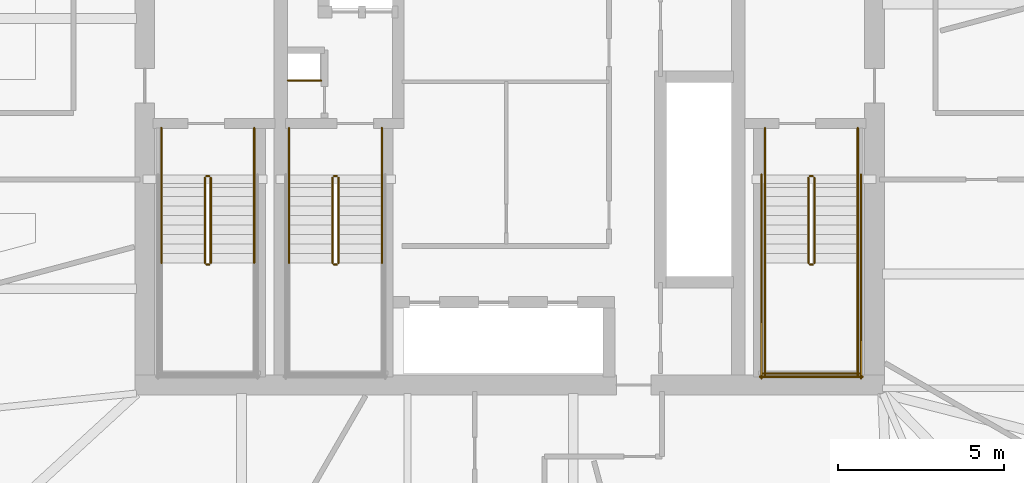
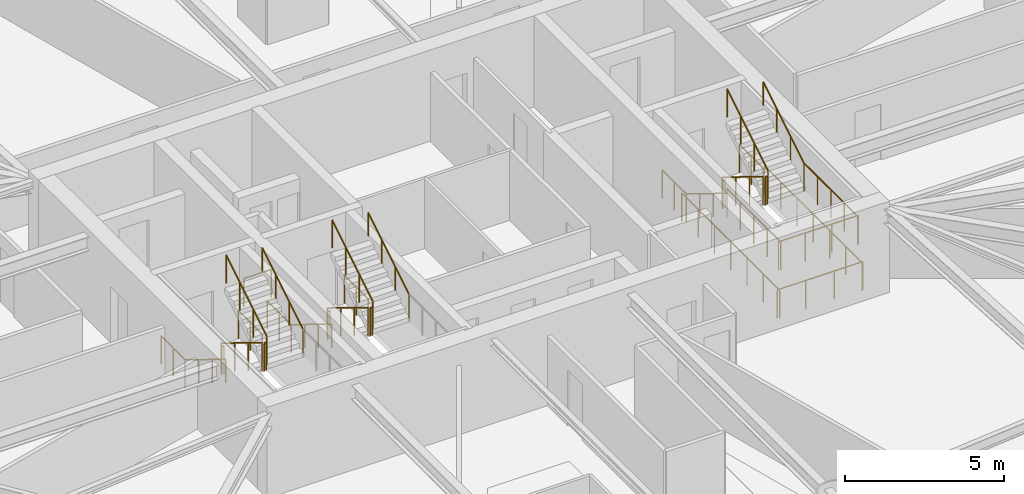
# One storey, part 21 of 22: 31 railings.
"""IFC4 building model written with IfcOpenShell, lengths in metres."""

from ifc_helpers import new_model, si_unit, direction, frame, origin, origin_2d, place, context, subcontext, project, spatial, circle, extrude, material, type_object, element, save


model = new_model("IFC4")

# Units and contexts
model_context = context("Model", 3, precision=1e-05, world=origin(), true_north=direction((0.0, 1.0)))
body_context = subcontext(model_context, "Body", "Model", "MODEL_VIEW")
ifc_project = project(units=[si_unit("LENGTHUNIT", "METRE"), si_unit("AREAUNIT", "SQUARE_METRE"), si_unit("VOLUMEUNIT", "CUBIC_METRE"), si_unit("PLANEANGLEUNIT", "RADIAN"), si_unit("MASSUNIT", "GRAM", prefix="KILO")], contexts=[model_context])

# Site, building, storey
site_placement = place(None, origin())
site = spatial("IfcSite", under=ifc_project, at=site_placement, CompositionType="ELEMENT")
building_placement = place(site_placement, origin())
building = spatial("IfcBuilding", under=site, at=building_placement, Name="Bramvorn Convention Spire", CompositionType="ELEMENT")
storey_placement = place(building_placement, frame((0.0, 0.0, 127.300048828125)))
storey = spatial("IfcBuildingStorey", under=building, at=storey_placement, Name="L31", CompositionType="ELEMENT", Elevation=127.300048828125)

# Railings
ifc_material_1 = material(Name="Painted Steel Balustrade & Guardrail", Category="steel")
railing_type_1 = type_object("IfcRailingType", Name="RL-STAIR-GUARD-1100", PredefinedType="GUARDRAIL", material=ifc_material_1)
railing_1_placement = place(storey_placement, frame((28.81005859375, 25.050048828125, 0.175048828125)))
element("IfcRailing", 1, at=railing_1_placement, inside=storey, type_object=railing_type_1, Name="L31 ST1 stair guard 1", PredefinedType="GUARDRAIL", context=body_context, shape_type="SweptSolid", body=[
    extrude(circle(Radius=0.02392578125, at=origin_2d()), frame((0.0, 0.0, 1.076171875), z_axis=(0.0, -0.852173129349, 0.523259933127), x_axis=(1.0, 0.0, 0.0)), (0.0, 0.0, 1.0), 3.009765625),
    extrude(circle(Radius=0.02099609375, at=origin_2d()), origin(), (0.0, 0.0, 1.0), 1.052001953125),
    extrude(circle(Radius=0.02099609375, at=origin_2d()), frame((0.0, -0.85498046875, 0.52490234375)), (0.0, 0.0, 1.0), 1.052001953125),
    extrude(circle(Radius=0.02099609375, at=origin_2d()), frame((0.0, -1.7099609375, 1.050048828125)), (0.0, 0.0, 1.0), 1.052001953125),
    extrude(circle(Radius=0.02099609375, at=origin_2d()), frame((0.0, -2.56494140625, 1.574951171875)), (0.0, 0.0, 1.0), 1.052001953125),
])
railing_2_placement = place(storey_placement, frame((28.860107421875, 22.43505859375, 1.75)))
element("IfcRailing", 2, at=railing_2_placement, inside=storey, type_object=railing_type_1, Name="L31 ST1 stair guard 2", PredefinedType="GUARDRAIL", context=body_context, shape_type="SweptSolid", body=[
    extrude(circle(Radius=0.02392578125, at=origin_2d()), frame((0.0, 0.0, 1.076171875), z_axis=(1.0, 0.0, 0.0), x_axis=(0.0, 1.0, 0.0)), (0.0, 0.0, 1.0), 0.079833984375),
    extrude(circle(Radius=0.02099609375, at=origin_2d()), origin(), (0.0, 0.0, 1.0), 1.052001953125),
    extrude(circle(Radius=0.02099609375, at=origin_2d()), frame((0.079833984375, 0.0, 0.0)), (0.0, 0.0, 1.0), 1.052001953125),
])
railing_3_placement = place(storey_placement, frame((28.989990234375, 22.485107421875, 1.925048828125)))
element("IfcRailing", 3, at=railing_3_placement, inside=storey, type_object=railing_type_1, Name="L31 ST1 stair guard 6", PredefinedType="GUARDRAIL", context=body_context, shape_type="SweptSolid", body=[
    extrude(circle(Radius=0.02392578125, at=origin_2d()), frame((0.0, 0.0, 1.076171875), z_axis=(0.0, 0.852173129349, 0.523259933127), x_axis=(-1.0, 0.0, 0.0)), (0.0, 0.0, 1.0), 3.009765625),
    extrude(circle(Radius=0.02099609375, at=origin_2d()), origin(), (0.0, 0.0, 1.0), 1.052001953125),
    extrude(circle(Radius=0.02099609375, at=origin_2d()), frame((0.0, 0.85498046875, 0.52490234375)), (0.0, 0.0, 1.0), 1.052001953125),
    extrude(circle(Radius=0.02099609375, at=origin_2d()), frame((0.0, 1.7099609375, 1.050048828125)), (0.0, 0.0, 1.0), 1.052001953125),
    extrude(circle(Radius=0.02099609375, at=origin_2d()), frame((0.0, 2.56494140625, 1.574951171875)), (0.0, 0.0, 1.0), 1.052001953125),
])
railing_4_placement = place(storey_placement, frame((28.860107421875, 25.10009765625, 0.0)))
element("IfcRailing", 4, at=railing_4_placement, inside=storey, type_object=railing_type_1, Name="L31 ST1 stair guard 7", PredefinedType="GUARDRAIL", context=body_context, shape_type="SweptSolid", body=[
    extrude(circle(Radius=0.02392578125, at=origin_2d()), frame((0.0, 0.0, 1.076171875), z_axis=(1.0, 0.0, 0.0), x_axis=(0.0, 1.0, 0.0)), (0.0, 0.0, 1.0), 0.079833984375),
    extrude(circle(Radius=0.02099609375, at=origin_2d()), origin(), (0.0, 0.0, 1.0), 1.052001953125),
    extrude(circle(Radius=0.02099609375, at=origin_2d()), frame((0.079833984375, 0.0, 0.0)), (0.0, 0.0, 1.0), 1.052001953125),
])
for number, where, name in (
    (5, (27.5, 26.550048828125, 0.0), "L31 ST1 stair guard 8"),
    (6, (30.300048828125, 26.550048828125, 0.0), "L31 ST1 stair guard 9"),
):
    element("IfcRailing", number, at=place(storey_placement, frame(where)), inside=storey, type_object=railing_type_1, Name=name, PredefinedType="GUARDRAIL", context=body_context, shape_type="SweptSolid", body=[
        extrude(circle(Radius=0.02392578125, at=origin_2d()), frame((0.0, 0.0, 1.076171875), z_axis=(0.0, -1.0, 0.0), x_axis=(1.0, 0.0, 0.0)), (0.0, 0.0, 1.0), 1.5),
        extrude(circle(Radius=0.02099609375, at=origin_2d()), origin(), (0.0, 0.0, 1.0), 1.052001953125),
        extrude(circle(Radius=0.02099609375, at=origin_2d()), frame((0.0, -0.75, 0.0)), (0.0, 0.0, 1.0), 1.052001953125),
        extrude(circle(Radius=0.02099609375, at=origin_2d()), frame((0.0, -1.5, 0.0)), (0.0, 0.0, 1.0), 1.052001953125),
    ])
railing_5_placement = place(storey_placement, frame((47.010009765625, 25.050048828125, 0.175048828125)))
element("IfcRailing", 7, at=railing_5_placement, inside=storey, type_object=railing_type_1, Name="L31 ST2 stair guard 1", PredefinedType="GUARDRAIL", context=body_context, shape_type="SweptSolid", body=[
    extrude(circle(Radius=0.02392578125, at=origin_2d()), frame((0.0, 0.0, 1.076171875), z_axis=(0.0, -0.852173129349, 0.523259933127), x_axis=(1.0, 0.0, 0.0)), (0.0, 0.0, 1.0), 3.009765625),
    extrude(circle(Radius=0.02099609375, at=origin_2d()), origin(), (0.0, 0.0, 1.0), 1.052001953125),
    extrude(circle(Radius=0.02099609375, at=origin_2d()), frame((0.0, -0.85498046875, 0.52490234375)), (0.0, 0.0, 1.0), 1.052001953125),
    extrude(circle(Radius=0.02099609375, at=origin_2d()), frame((0.0, -1.7099609375, 1.050048828125)), (0.0, 0.0, 1.0), 1.052001953125),
    extrude(circle(Radius=0.02099609375, at=origin_2d()), frame((0.0, -2.56494140625, 1.574951171875)), (0.0, 0.0, 1.0), 1.052001953125),
])
railing_6_placement = place(storey_placement, frame((47.06005859375, 22.43505859375, 1.75)))
element("IfcRailing", 8, at=railing_6_placement, inside=storey, type_object=railing_type_1, Name="L31 ST2 stair guard 2", PredefinedType="GUARDRAIL", context=body_context, shape_type="SweptSolid", body=[
    extrude(circle(Radius=0.02392578125, at=origin_2d()), frame((0.0, 0.0, 1.076171875), z_axis=(1.0, 0.0, 0.0), x_axis=(0.0, 1.0, 0.0)), (0.0, 0.0, 1.0), 0.079833984375),
    extrude(circle(Radius=0.02099609375, at=origin_2d()), origin(), (0.0, 0.0, 1.0), 1.052001953125),
    extrude(circle(Radius=0.02099609375, at=origin_2d()), frame((0.079833984375, 0.0, 0.0)), (0.0, 0.0, 1.0), 1.052001953125),
])
for number, where, name in (
    (9, (45.699951171875, 22.485107421875, 1.75), "L31 ST2 stair guard 3"),
    (10, (48.5, 22.485107421875, 1.75), "L31 ST2 stair guard 4"),
):
    element("IfcRailing", number, at=place(storey_placement, frame(where)), inside=storey, type_object=railing_type_1, Name=name, PredefinedType="GUARDRAIL", context=body_context, shape_type="SweptSolid", body=[
        extrude(circle(Radius=0.02392578125, at=origin_2d()), frame((0.0, 0.0, 1.076171875), z_axis=(0.0, -1.0, 0.0), x_axis=(1.0, 0.0, 0.0)), (0.0, 0.0, 1.0), 3.385009765625),
        extrude(circle(Radius=0.02099609375, at=origin_2d()), origin(), (0.0, 0.0, 1.0), 1.052001953125),
        extrude(circle(Radius=0.02099609375, at=origin_2d()), frame((0.0, -0.84619140625, 0.0)), (0.0, 0.0, 1.0), 1.052001953125),
        extrude(circle(Radius=0.02099609375, at=origin_2d()), frame((0.0, -1.6923828125, 0.0)), (0.0, 0.0, 1.0), 1.052001953125),
        extrude(circle(Radius=0.02099609375, at=origin_2d()), frame((0.0, -2.538818359375, 0.0)), (0.0, 0.0, 1.0), 1.052001953125),
        extrude(circle(Radius=0.02099609375, at=origin_2d()), frame((0.0, -3.385009765625, 0.0)), (0.0, 0.0, 1.0), 1.052001953125),
    ])
railing_7_placement = place(storey_placement, frame((45.64990234375, 19.14990234375, 1.75)))
element("IfcRailing", 11, at=railing_7_placement, inside=storey, type_object=railing_type_1, Name="L31 ST2 stair guard 5", PredefinedType="GUARDRAIL", context=body_context, shape_type="SweptSolid", body=[
    extrude(circle(Radius=0.02392578125, at=origin_2d()), frame((0.0, 0.0, 1.076171875), z_axis=(1.0, 0.0, 0.0), x_axis=(0.0, 1.0, 0.0)), (0.0, 0.0, 1.0), 2.900146484375),
    extrude(circle(Radius=0.02099609375, at=origin_2d()), origin(), (0.0, 0.0, 1.0), 1.052001953125),
    extrude(circle(Radius=0.02099609375, at=origin_2d()), frame((0.966796875, 0.0, 0.0)), (0.0, 0.0, 1.0), 1.052001953125),
    extrude(circle(Radius=0.02099609375, at=origin_2d()), frame((1.933349609375, 0.0, 0.0)), (0.0, 0.0, 1.0), 1.052001953125),
    extrude(circle(Radius=0.02099609375, at=origin_2d()), frame((2.900146484375, 0.0, 0.0)), (0.0, 0.0, 1.0), 1.052001953125),
])
railing_8_placement = place(storey_placement, frame((47.18994140625, 22.485107421875, 1.925048828125)))
element("IfcRailing", 12, at=railing_8_placement, inside=storey, type_object=railing_type_1, Name="L31 ST2 stair guard 6", PredefinedType="GUARDRAIL", context=body_context, shape_type="SweptSolid", body=[
    extrude(circle(Radius=0.02392578125, at=origin_2d()), frame((0.0, 0.0, 1.076171875), z_axis=(0.0, 0.852173129349, 0.523259933127), x_axis=(-1.0, 0.0, 0.0)), (0.0, 0.0, 1.0), 3.009765625),
    extrude(circle(Radius=0.02099609375, at=origin_2d()), origin(), (0.0, 0.0, 1.0), 1.052001953125),
    extrude(circle(Radius=0.02099609375, at=origin_2d()), frame((0.0, 0.85498046875, 0.52490234375)), (0.0, 0.0, 1.0), 1.052001953125),
    extrude(circle(Radius=0.02099609375, at=origin_2d()), frame((0.0, 1.7099609375, 1.050048828125)), (0.0, 0.0, 1.0), 1.052001953125),
    extrude(circle(Radius=0.02099609375, at=origin_2d()), frame((0.0, 2.56494140625, 1.574951171875)), (0.0, 0.0, 1.0), 1.052001953125),
])
railing_9_placement = place(storey_placement, frame((47.06005859375, 25.10009765625, 0.0)))
element("IfcRailing", 13, at=railing_9_placement, inside=storey, type_object=railing_type_1, Name="L31 ST2 stair guard 7", PredefinedType="GUARDRAIL", context=body_context, shape_type="SweptSolid", body=[
    extrude(circle(Radius=0.02392578125, at=origin_2d()), frame((0.0, 0.0, 1.076171875), z_axis=(1.0, 0.0, 0.0), x_axis=(0.0, 1.0, 0.0)), (0.0, 0.0, 1.0), 0.079833984375),
    extrude(circle(Radius=0.02099609375, at=origin_2d()), origin(), (0.0, 0.0, 1.0), 1.052001953125),
    extrude(circle(Radius=0.02099609375, at=origin_2d()), frame((0.079833984375, 0.0, 0.0)), (0.0, 0.0, 1.0), 1.052001953125),
])
for number, where, name in (
    (14, (45.699951171875, 26.550048828125, 0.0), "L31 ST2 stair guard 8"),
    (15, (48.5, 26.550048828125, 0.0), "L31 ST2 stair guard 9"),
):
    element("IfcRailing", number, at=place(storey_placement, frame(where)), inside=storey, type_object=railing_type_1, Name=name, PredefinedType="GUARDRAIL", context=body_context, shape_type="SweptSolid", body=[
        extrude(circle(Radius=0.02392578125, at=origin_2d()), frame((0.0, 0.0, 1.076171875), z_axis=(0.0, -1.0, 0.0), x_axis=(1.0, 0.0, 0.0)), (0.0, 0.0, 1.0), 1.5),
        extrude(circle(Radius=0.02099609375, at=origin_2d()), origin(), (0.0, 0.0, 1.0), 1.052001953125),
        extrude(circle(Radius=0.02099609375, at=origin_2d()), frame((0.0, -0.75, 0.0)), (0.0, 0.0, 1.0), 1.052001953125),
        extrude(circle(Radius=0.02099609375, at=origin_2d()), frame((0.0, -1.5, 0.0)), (0.0, 0.0, 1.0), 1.052001953125),
    ])
for number, where, name in (
    (16, (45.60009765625, 25.14990234375, 0.0), "L31 ST2 stair guard 10"),
    (17, (48.60009765625, 25.14990234375, 0.0), "L31 ST2 stair guard 11"),
):
    element("IfcRailing", number, at=place(storey_placement, frame(where)), inside=storey, type_object=railing_type_1, Name=name, PredefinedType="GUARDRAIL", context=body_context, shape_type="SweptSolid", body=[
        extrude(circle(Radius=0.02392578125, at=origin_2d()), frame((0.0, 0.0, 1.076171875), z_axis=(0.0, -1.0, 0.0), x_axis=(1.0, 0.0, 0.0)), (0.0, 0.0, 1.0), 6.14990234375),
        extrude(circle(Radius=0.02099609375, at=origin_2d()), origin(), (0.0, 0.0, 1.0), 1.052001953125),
        extrude(circle(Radius=0.02099609375, at=origin_2d()), frame((0.0, -1.02490234375, 0.0)), (0.0, 0.0, 1.0), 1.052001953125),
        extrude(circle(Radius=0.02099609375, at=origin_2d()), frame((0.0, -2.050048828125, 0.0)), (0.0, 0.0, 1.0), 1.052001953125),
        extrude(circle(Radius=0.02099609375, at=origin_2d()), frame((0.0, -3.074951171875, 0.0)), (0.0, 0.0, 1.0), 1.052001953125),
        extrude(circle(Radius=0.02099609375, at=origin_2d()), frame((0.0, -4.099853515625, 0.0)), (0.0, 0.0, 1.0), 1.052001953125),
        extrude(circle(Radius=0.02099609375, at=origin_2d()), frame((0.0, -5.125, 0.0)), (0.0, 0.0, 1.0), 1.052001953125),
        extrude(circle(Radius=0.02099609375, at=origin_2d()), frame((0.0, -6.14990234375, 0.0)), (0.0, 0.0, 1.0), 1.052001953125),
    ])
railing_10_placement = place(storey_placement, frame((45.550048828125, 19.050048828125, 0.0)))
element("IfcRailing", 18, at=railing_10_placement, inside=storey, type_object=railing_type_1, Name="L31 ST2 stair guard 12", PredefinedType="GUARDRAIL", context=body_context, shape_type="SweptSolid", body=[
    extrude(circle(Radius=0.02392578125, at=origin_2d()), frame((0.0, 0.0, 1.076171875), z_axis=(1.0, 0.0, 0.0), x_axis=(0.0, 1.0, 0.0)), (0.0, 0.0, 1.0), 3.099853515625),
    extrude(circle(Radius=0.02099609375, at=origin_2d()), origin(), (0.0, 0.0, 1.0), 1.052001953125),
    extrude(circle(Radius=0.02099609375, at=origin_2d()), frame((1.033203125, 0.0, 0.0)), (0.0, 0.0, 1.0), 1.052001953125),
    extrude(circle(Radius=0.02099609375, at=origin_2d()), frame((2.066650390625, 0.0, 0.0)), (0.0, 0.0, 1.0), 1.052001953125),
    extrude(circle(Radius=0.02099609375, at=origin_2d()), frame((3.099853515625, 0.0, 0.0)), (0.0, 0.0, 1.0), 1.052001953125),
])
railing_11_placement = place(storey_placement, frame((32.659912109375, 25.050048828125, 0.175048828125)))
element("IfcRailing", 19, at=railing_11_placement, inside=storey, type_object=railing_type_1, Name="L31 ST3 stair guard 1", PredefinedType="GUARDRAIL", context=body_context, shape_type="SweptSolid", body=[
    extrude(circle(Radius=0.02392578125, at=origin_2d()), frame((0.0, 0.0, 1.076171875), z_axis=(0.0, -0.852173129349, 0.523259933127), x_axis=(1.0, 0.0, 0.0)), (0.0, 0.0, 1.0), 3.009765625),
    extrude(circle(Radius=0.02099609375, at=origin_2d()), origin(), (0.0, 0.0, 1.0), 1.052001953125),
    extrude(circle(Radius=0.02099609375, at=origin_2d()), frame((0.0, -0.85498046875, 0.52490234375)), (0.0, 0.0, 1.0), 1.052001953125),
    extrude(circle(Radius=0.02099609375, at=origin_2d()), frame((0.0, -1.7099609375, 1.050048828125)), (0.0, 0.0, 1.0), 1.052001953125),
    extrude(circle(Radius=0.02099609375, at=origin_2d()), frame((0.0, -2.56494140625, 1.574951171875)), (0.0, 0.0, 1.0), 1.052001953125),
])
railing_12_placement = place(storey_placement, frame((32.7099609375, 22.43505859375, 1.75)))
element("IfcRailing", 20, at=railing_12_placement, inside=storey, type_object=railing_type_1, Name="L31 ST3 stair guard 2", PredefinedType="GUARDRAIL", context=body_context, shape_type="SweptSolid", body=[
    extrude(circle(Radius=0.02392578125, at=origin_2d()), frame((0.0, 0.0, 1.076171875), z_axis=(1.0, 0.0, 0.0), x_axis=(0.0, 1.0, 0.0)), (0.0, 0.0, 1.0), 0.080078125),
    extrude(circle(Radius=0.02099609375, at=origin_2d()), origin(), (0.0, 0.0, 1.0), 1.052001953125),
    extrude(circle(Radius=0.02099609375, at=origin_2d()), frame((0.080078125, 0.0, 0.0)), (0.0, 0.0, 1.0), 1.052001953125),
])
railing_13_placement = place(storey_placement, frame((32.840087890625, 22.485107421875, 1.925048828125)))
element("IfcRailing", 21, at=railing_13_placement, inside=storey, type_object=railing_type_1, Name="L31 ST3 stair guard 6", PredefinedType="GUARDRAIL", context=body_context, shape_type="SweptSolid", body=[
    extrude(circle(Radius=0.02392578125, at=origin_2d()), frame((0.0, 0.0, 1.076171875), z_axis=(0.0, 0.852173129349, 0.523259933127), x_axis=(-1.0, 0.0, 0.0)), (0.0, 0.0, 1.0), 3.009765625),
    extrude(circle(Radius=0.02099609375, at=origin_2d()), origin(), (0.0, 0.0, 1.0), 1.052001953125),
    extrude(circle(Radius=0.02099609375, at=origin_2d()), frame((0.0, 0.85498046875, 0.52490234375)), (0.0, 0.0, 1.0), 1.052001953125),
    extrude(circle(Radius=0.02099609375, at=origin_2d()), frame((0.0, 1.7099609375, 1.050048828125)), (0.0, 0.0, 1.0), 1.052001953125),
    extrude(circle(Radius=0.02099609375, at=origin_2d()), frame((0.0, 2.56494140625, 1.574951171875)), (0.0, 0.0, 1.0), 1.052001953125),
])
railing_14_placement = place(storey_placement, frame((32.7099609375, 25.10009765625, 0.0)))
element("IfcRailing", 22, at=railing_14_placement, inside=storey, type_object=railing_type_1, Name="L31 ST3 stair guard 7", PredefinedType="GUARDRAIL", context=body_context, shape_type="SweptSolid", body=[
    extrude(circle(Radius=0.02392578125, at=origin_2d()), frame((0.0, 0.0, 1.076171875), z_axis=(1.0, 0.0, 0.0), x_axis=(0.0, 1.0, 0.0)), (0.0, 0.0, 1.0), 0.080078125),
    extrude(circle(Radius=0.02099609375, at=origin_2d()), origin(), (0.0, 0.0, 1.0), 1.052001953125),
    extrude(circle(Radius=0.02099609375, at=origin_2d()), frame((0.080078125, 0.0, 0.0)), (0.0, 0.0, 1.0), 1.052001953125),
])
for number, where, name in (
    (23, (31.35009765625, 26.550048828125, 0.0), "L31 ST3 stair guard 8"),
    (24, (34.14990234375, 26.550048828125, 0.0), "L31 ST3 stair guard 9"),
):
    element("IfcRailing", number, at=place(storey_placement, frame(where)), inside=storey, type_object=railing_type_1, Name=name, PredefinedType="GUARDRAIL", context=body_context, shape_type="SweptSolid", body=[
        extrude(circle(Radius=0.02392578125, at=origin_2d()), frame((0.0, 0.0, 1.076171875), z_axis=(0.0, -1.0, 0.0), x_axis=(1.0, 0.0, 0.0)), (0.0, 0.0, 1.0), 1.5),
        extrude(circle(Radius=0.02099609375, at=origin_2d()), origin(), (0.0, 0.0, 1.0), 1.052001953125),
        extrude(circle(Radius=0.02099609375, at=origin_2d()), frame((0.0, -0.75, 0.0)), (0.0, 0.0, 1.0), 1.052001953125),
        extrude(circle(Radius=0.02099609375, at=origin_2d()), frame((0.0, -1.5, 0.0)), (0.0, 0.0, 1.0), 1.052001953125),
    ])
railing_15_placement = place(storey_placement, frame((31.320068359375, 27.97998046875, 0.0)))
element("IfcRailing", 25, at=railing_15_placement, inside=storey, type_object=railing_type_1, Name="L31 Telecom riser shaft opening safety guardrail", PredefinedType="GUARDRAIL", context=body_context, shape_type="SweptSolid", body=[
    extrude(circle(Radius=0.02392578125, at=origin_2d()), frame((0.0, 0.0, 1.076171875), z_axis=(1.0, 0.0, 0.0), x_axis=(0.0, 1.0, 0.0)), (0.0, 0.0, 1.0), 1.0),
    extrude(circle(Radius=0.02099609375, at=origin_2d()), origin(), (0.0, 0.0, 1.0), 1.052001953125),
    extrude(circle(Radius=0.02099609375, at=origin_2d()), frame((1.0, 0.0, 0.0)), (0.0, 0.0, 1.0), 1.052001953125),
])
ifc_material_2 = material(Name="Brushed Bronze Tubular Handrail", Category="aluminium")
railing_type_2 = type_object("IfcRailingType", Name="RL-STAIR-HR-920", PredefinedType="HANDRAIL", material=ifc_material_2)
railing_16_placement = place(storey_placement, frame((27.5, 25.050048828125, 0.175048828125)))
element("IfcRailing", 26, at=railing_16_placement, inside=storey, type_object=railing_type_2, Name="L31 ST1 stair handrail 1", PredefinedType="HANDRAIL", context=body_context, shape_type="SweptSolid", body=[
    extrude(circle(Radius=0.02392578125, at=origin_2d()), frame((0.0, 0.0, 0.89599609375), z_axis=(0.0, -0.852173129349, 0.523259933127), x_axis=(1.0, 0.0, 0.0)), (0.0, 0.0, 1.0), 3.009765625),
    extrude(circle(Radius=0.02099609375, at=origin_2d()), origin(), (0.0, 0.0, 1.0), 0.871826171875),
    extrude(circle(Radius=0.02099609375, at=origin_2d()), frame((0.0, -0.85498046875, 0.52490234375)), (0.0, 0.0, 1.0), 0.871826171875),
    extrude(circle(Radius=0.02099609375, at=origin_2d()), frame((0.0, -1.7099609375, 1.050048828125)), (0.0, 0.0, 1.0), 0.871826171875),
    extrude(circle(Radius=0.02099609375, at=origin_2d()), frame((0.0, -2.56494140625, 1.574951171875)), (0.0, 0.0, 1.0), 0.871826171875),
])
railing_17_placement = place(storey_placement, frame((30.300048828125, 22.485107421875, 1.925048828125)))
element("IfcRailing", 27, at=railing_17_placement, inside=storey, type_object=railing_type_2, Name="L31 ST1 stair handrail 2", PredefinedType="HANDRAIL", context=body_context, shape_type="SweptSolid", body=[
    extrude(circle(Radius=0.02392578125, at=origin_2d()), frame((0.0, 0.0, 0.89599609375), z_axis=(0.0, 0.852173129349, 0.523259933127), x_axis=(-1.0, 0.0, 0.0)), (0.0, 0.0, 1.0), 3.009765625),
    extrude(circle(Radius=0.02099609375, at=origin_2d()), origin(), (0.0, 0.0, 1.0), 0.871826171875),
    extrude(circle(Radius=0.02099609375, at=origin_2d()), frame((0.0, 0.85498046875, 0.52490234375)), (0.0, 0.0, 1.0), 0.871826171875),
    extrude(circle(Radius=0.02099609375, at=origin_2d()), frame((0.0, 1.7099609375, 1.050048828125)), (0.0, 0.0, 1.0), 0.871826171875),
    extrude(circle(Radius=0.02099609375, at=origin_2d()), frame((0.0, 2.56494140625, 1.574951171875)), (0.0, 0.0, 1.0), 0.871826171875),
])
railing_18_placement = place(storey_placement, frame((45.699951171875, 25.050048828125, 0.175048828125)))
element("IfcRailing", 28, at=railing_18_placement, inside=storey, type_object=railing_type_2, Name="L31 ST2 stair handrail 1", PredefinedType="HANDRAIL", context=body_context, shape_type="SweptSolid", body=[
    extrude(circle(Radius=0.02392578125, at=origin_2d()), frame((0.0, 0.0, 0.89599609375), z_axis=(0.0, -0.852173129349, 0.523259933127), x_axis=(1.0, 0.0, 0.0)), (0.0, 0.0, 1.0), 3.009765625),
    extrude(circle(Radius=0.02099609375, at=origin_2d()), origin(), (0.0, 0.0, 1.0), 0.871826171875),
    extrude(circle(Radius=0.02099609375, at=origin_2d()), frame((0.0, -0.85498046875, 0.52490234375)), (0.0, 0.0, 1.0), 0.871826171875),
    extrude(circle(Radius=0.02099609375, at=origin_2d()), frame((0.0, -1.7099609375, 1.050048828125)), (0.0, 0.0, 1.0), 0.871826171875),
    extrude(circle(Radius=0.02099609375, at=origin_2d()), frame((0.0, -2.56494140625, 1.574951171875)), (0.0, 0.0, 1.0), 0.871826171875),
])
railing_19_placement = place(storey_placement, frame((48.5, 22.485107421875, 1.925048828125)))
element("IfcRailing", 29, at=railing_19_placement, inside=storey, type_object=railing_type_2, Name="L31 ST2 stair handrail 2", PredefinedType="HANDRAIL", context=body_context, shape_type="SweptSolid", body=[
    extrude(circle(Radius=0.02392578125, at=origin_2d()), frame((0.0, 0.0, 0.89599609375), z_axis=(0.0, 0.852173129349, 0.523259933127), x_axis=(-1.0, 0.0, 0.0)), (0.0, 0.0, 1.0), 3.009765625),
    extrude(circle(Radius=0.02099609375, at=origin_2d()), origin(), (0.0, 0.0, 1.0), 0.871826171875),
    extrude(circle(Radius=0.02099609375, at=origin_2d()), frame((0.0, 0.85498046875, 0.52490234375)), (0.0, 0.0, 1.0), 0.871826171875),
    extrude(circle(Radius=0.02099609375, at=origin_2d()), frame((0.0, 1.7099609375, 1.050048828125)), (0.0, 0.0, 1.0), 0.871826171875),
    extrude(circle(Radius=0.02099609375, at=origin_2d()), frame((0.0, 2.56494140625, 1.574951171875)), (0.0, 0.0, 1.0), 0.871826171875),
])
railing_20_placement = place(storey_placement, frame((31.35009765625, 25.050048828125, 0.175048828125)))
element("IfcRailing", 30, at=railing_20_placement, inside=storey, type_object=railing_type_2, Name="L31 ST3 stair handrail 1", PredefinedType="HANDRAIL", context=body_context, shape_type="SweptSolid", body=[
    extrude(circle(Radius=0.02392578125, at=origin_2d()), frame((0.0, 0.0, 0.89599609375), z_axis=(0.0, -0.852173129349, 0.523259933127), x_axis=(1.0, 0.0, 0.0)), (0.0, 0.0, 1.0), 3.009765625),
    extrude(circle(Radius=0.02099609375, at=origin_2d()), origin(), (0.0, 0.0, 1.0), 0.871826171875),
    extrude(circle(Radius=0.02099609375, at=origin_2d()), frame((0.0, -0.85498046875, 0.52490234375)), (0.0, 0.0, 1.0), 0.871826171875),
    extrude(circle(Radius=0.02099609375, at=origin_2d()), frame((0.0, -1.7099609375, 1.050048828125)), (0.0, 0.0, 1.0), 0.871826171875),
    extrude(circle(Radius=0.02099609375, at=origin_2d()), frame((0.0, -2.56494140625, 1.574951171875)), (0.0, 0.0, 1.0), 0.871826171875),
])
railing_21_placement = place(storey_placement, frame((34.14990234375, 22.485107421875, 1.925048828125)))
element("IfcRailing", 31, at=railing_21_placement, inside=storey, type_object=railing_type_2, Name="L31 ST3 stair handrail 2", PredefinedType="HANDRAIL", context=body_context, shape_type="SweptSolid", body=[
    extrude(circle(Radius=0.02392578125, at=origin_2d()), frame((0.0, 0.0, 0.89599609375), z_axis=(0.0, 0.852173129349, 0.523259933127), x_axis=(-1.0, 0.0, 0.0)), (0.0, 0.0, 1.0), 3.009765625),
    extrude(circle(Radius=0.02099609375, at=origin_2d()), origin(), (0.0, 0.0, 1.0), 0.871826171875),
    extrude(circle(Radius=0.02099609375, at=origin_2d()), frame((0.0, 0.85498046875, 0.52490234375)), (0.0, 0.0, 1.0), 0.871826171875),
    extrude(circle(Radius=0.02099609375, at=origin_2d()), frame((0.0, 1.7099609375, 1.050048828125)), (0.0, 0.0, 1.0), 0.871826171875),
    extrude(circle(Radius=0.02099609375, at=origin_2d()), frame((0.0, 2.56494140625, 1.574951171875)), (0.0, 0.0, 1.0), 0.871826171875),
])

save(model, "model.ifc")
